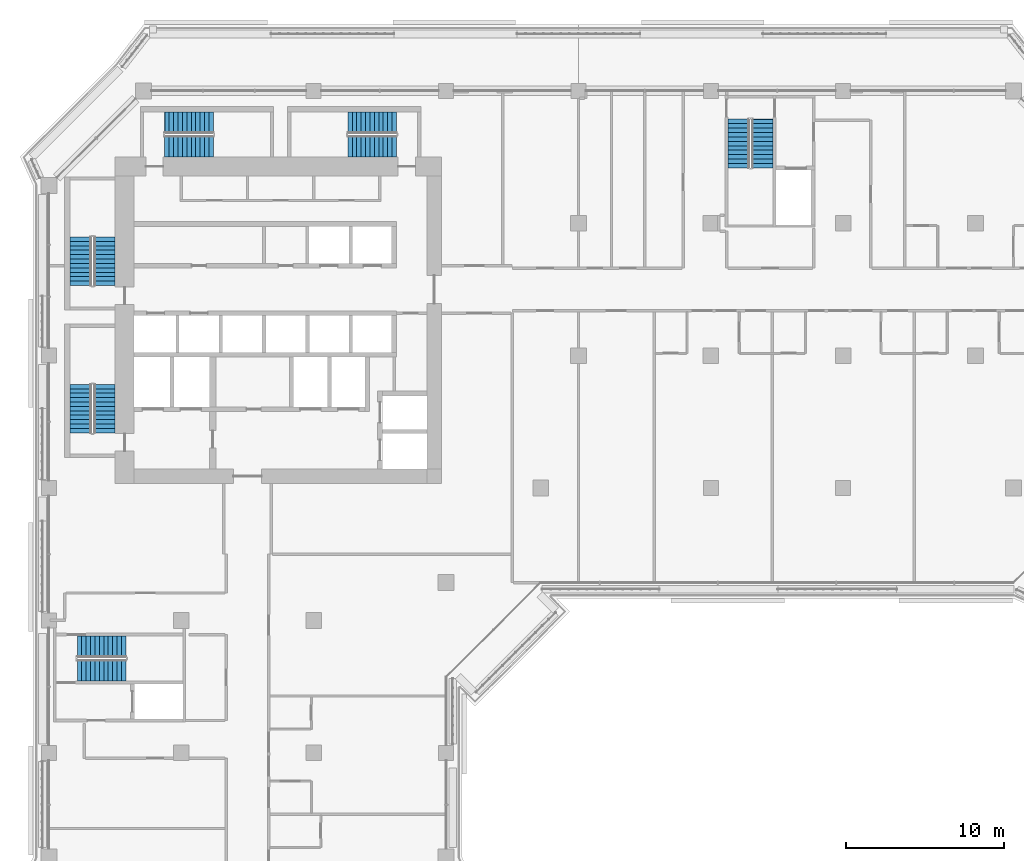
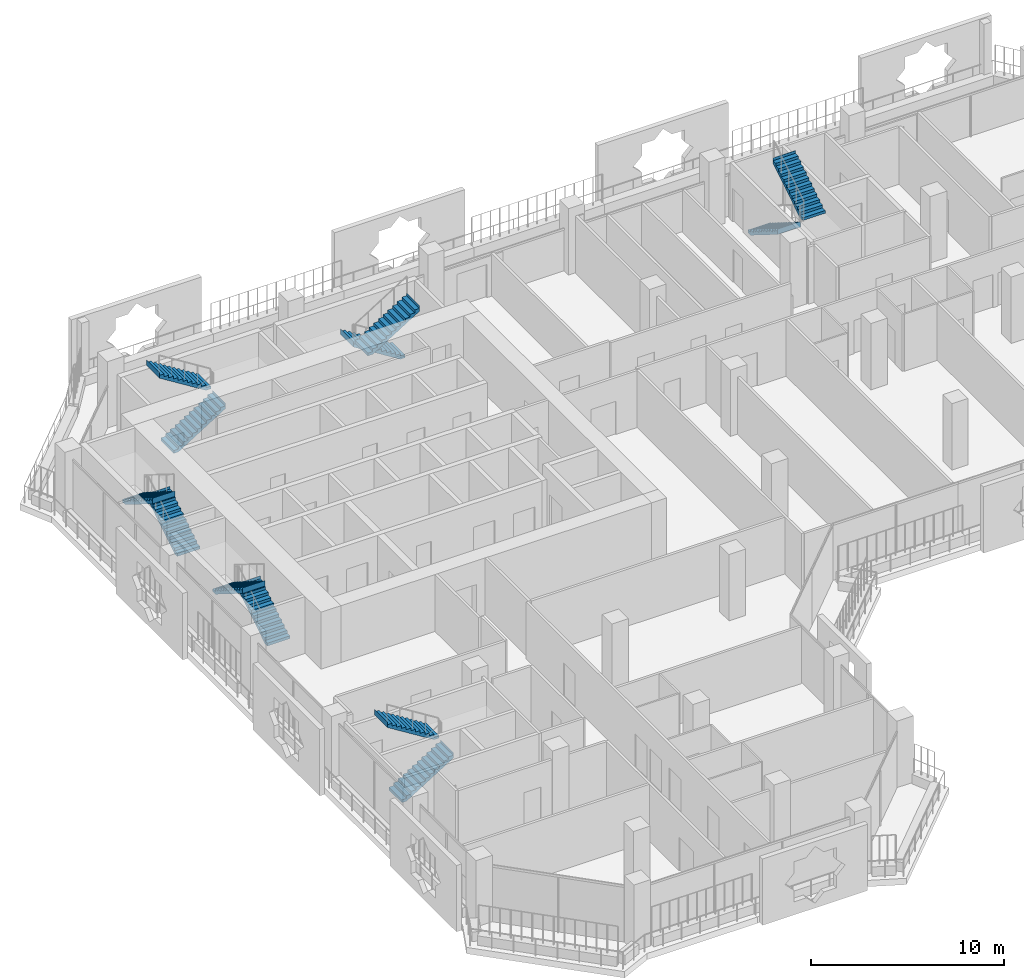
# One storey, part 15 of 22: 12 stair flights, 6 elements without a shape of their own.
"""IFC4 building model written with IfcOpenShell, lengths in metres."""

from ifc_helpers import new_model, si_unit, direction, frame, origin, place, context, subcontext, project, spatial, polyline, outline, extrude, material, type_object, element, aggregate, save


model = new_model("IFC4")

# Units and contexts
model_context = context("Model", 3, precision=1e-05, world=origin(), true_north=direction((0.0, 1.0)))
body_context = subcontext(model_context, "Body", "Model", "MODEL_VIEW")
ifc_project = project(units=[si_unit("LENGTHUNIT", "METRE"), si_unit("AREAUNIT", "SQUARE_METRE"), si_unit("VOLUMEUNIT", "CUBIC_METRE"), si_unit("PLANEANGLEUNIT", "RADIAN"), si_unit("MASSUNIT", "GRAM", prefix="KILO")], contexts=[model_context])

# Site, building, storey
site_placement = place(None, origin())
site = spatial("IfcSite", under=ifc_project, at=site_placement, CompositionType="ELEMENT")
building_placement = place(site_placement, origin())
building = spatial("IfcBuilding", under=site, at=building_placement, Name="Kawkab Arch Medical Tower", CompositionType="ELEMENT")
storey_placement = place(building_placement, frame((0.0, 0.0, 187.800048828125)))
storey = spatial("IfcBuildingStorey", under=building, at=storey_placement, Name="L43", CompositionType="ELEMENT", Elevation=187.800048828125)

# Stair, stair flights
ifc_material_1 = material(Name="Concrete C40/50", Category="concrete")
stair_type = type_object("IfcStairType", Name="Exit stair 1350", PredefinedType="HALF_TURN_STAIR", material=ifc_material_1)
placement = place(storey_placement, origin())
stair_1 = element("IfcStair", 1, at=placement, inside=storey, type_object=stair_type, Name="L43 Exit stair ST1", PredefinedType="HALF_TURN_STAIR")
ifc_material_2 = material(Name="Concrete C40/50", Category="concrete")
stair_flight_type = type_object("IfcStairFlightType", Name="Exit stair flight 1350", PredefinedType="STRAIGHT", material=ifc_material_2)
stair_flight_1_placement = place(storey_placement, frame((3.52490234375, -12.35009765625, 0.0), z_axis=(0.0, 0.0, 1.0), x_axis=(0.0, 1.0, 0.0)))
stair_flight_1 = element("IfcStairFlight", 2, at=stair_flight_1_placement, type_object=stair_flight_type, Name="ST1 flight 1", NumberOfRisers=12, NumberOfTreads=11, PredefinedType="STRAIGHT", RiserHeight=0.175, TreadLength=0.28, context=body_context, shape_type="SweptSolid", body=[
    extrude(outline(polyline([(-0.0029296875, 0.0), (-0.0029296875, 0.175048828125), (0.0, 0.175048828125), (0.280029296875, 0.175048828125), (0.280029296875, 0.35009765625), (0.56005859375, 0.35009765625), (0.56005859375, 0.52490234375), (0.840087890625, 0.52490234375), (0.840087890625, 0.699951171875), (1.1201171875, 0.699951171875), (1.1201171875, 0.875), (1.39990234375, 0.875), (1.39990234375, 1.050048828125), (1.679931640625, 1.050048828125), (1.679931640625, 1.22509765625), (1.9599609375, 1.22509765625), (1.9599609375, 1.39990234375), (2.239990234375, 1.39990234375), (2.239990234375, 1.574951171875), (2.52001953125, 1.574951171875), (2.52001953125, 1.75), (2.800048828125, 1.75), (2.800048828125, 1.925048828125), (3.080078125, 1.925048828125), (3.080078125, 2.10009765625), (3.0830078125, 2.10009765625), (3.0830078125, 1.748291015625), (3.080078125, 1.748291015625), (0.28271484375, 0.0), (-0.0029296875, 0.0)])), frame((0.0, 0.675048828125, 0.0), z_axis=(0.0, -1.0, 0.0), x_axis=(1.0, 0.0, 0.0)), (0.0, 0.0, 1.0), 1.35009765625),
])
stair_flight_2_placement = place(storey_placement, frame((2.02490234375, -9.27001953125, 2.099853515625), z_axis=(0.0, 0.0, 1.0), x_axis=(0.0, -1.0, 0.0)))
stair_flight_2 = element("IfcStairFlight", 3, at=stair_flight_2_placement, type_object=stair_flight_type, Name="ST1 flight 2", NumberOfRisers=12, NumberOfTreads=11, PredefinedType="STRAIGHT", RiserHeight=0.175, TreadLength=0.28, context=body_context, shape_type="SweptSolid", body=[
    extrude(outline(polyline([(-0.0029296875, 0.0), (-0.0029296875, 0.175048828125), (0.0, 0.175048828125), (0.280029296875, 0.175048828125), (0.280029296875, 0.35009765625), (0.56005859375, 0.35009765625), (0.56005859375, 0.52490234375), (0.840087890625, 0.52490234375), (0.840087890625, 0.699951171875), (1.1201171875, 0.699951171875), (1.1201171875, 0.875), (1.39990234375, 0.875), (1.39990234375, 1.050048828125), (1.679931640625, 1.050048828125), (1.679931640625, 1.22509765625), (1.9599609375, 1.22509765625), (1.9599609375, 1.39990234375), (2.239990234375, 1.39990234375), (2.239990234375, 1.574951171875), (2.52001953125, 1.574951171875), (2.52001953125, 1.75), (2.800048828125, 1.75), (2.800048828125, 1.925048828125), (3.080078125, 1.925048828125), (3.080078125, 2.10009765625), (3.0830078125, 2.10009765625), (3.0830078125, 1.748291015625), (3.080078125, 1.748291015625), (0.28271484375, 0.0), (-0.0029296875, 0.0)])), frame((0.0, 0.675048828125, 0.0), z_axis=(0.0, -1.0, 0.0), x_axis=(1.0, 0.0, 0.0)), (0.0, 0.0, 1.0), 1.35009765625),
])
aggregate(stair_1, [stair_flight_1, stair_flight_2])

stair_2 = element("IfcStair", 4, at=placement, inside=storey, type_object=stair_type, Name="L43 Exit stair ST2", PredefinedType="HALF_TURN_STAIR")
stair_flight_3_placement = place(storey_placement, frame((3.52490234375, -21.699951171875, 0.0), z_axis=(0.0, 0.0, 1.0), x_axis=(0.0, 1.0, 0.0)))
stair_flight_3 = element("IfcStairFlight", 5, at=stair_flight_3_placement, type_object=stair_flight_type, Name="ST2 flight 1", NumberOfRisers=12, NumberOfTreads=11, PredefinedType="STRAIGHT", RiserHeight=0.175, TreadLength=0.28, context=body_context, shape_type="SweptSolid", body=[
    extrude(outline(polyline([(-0.0029296875, 0.0), (-0.0029296875, 0.175048828125), (0.0, 0.175048828125), (0.280029296875, 0.175048828125), (0.280029296875, 0.35009765625), (0.56005859375, 0.35009765625), (0.56005859375, 0.52490234375), (0.840087890625, 0.52490234375), (0.840087890625, 0.699951171875), (1.1201171875, 0.699951171875), (1.1201171875, 0.875), (1.39990234375, 0.875), (1.39990234375, 1.050048828125), (1.679931640625, 1.050048828125), (1.679931640625, 1.22509765625), (1.9599609375, 1.22509765625), (1.9599609375, 1.39990234375), (2.239990234375, 1.39990234375), (2.239990234375, 1.574951171875), (2.52001953125, 1.574951171875), (2.52001953125, 1.75), (2.800048828125, 1.75), (2.800048828125, 1.925048828125), (3.080078125, 1.925048828125), (3.080078125, 2.10009765625), (3.0830078125, 2.10009765625), (3.0830078125, 1.748291015625), (3.080078125, 1.748291015625), (0.28271484375, 0.0), (-0.0029296875, 0.0)])), frame((0.0, 0.675048828125, 0.0), z_axis=(0.0, -1.0, 0.0), x_axis=(1.0, 0.0, 0.0)), (0.0, 0.0, 1.0), 1.35009765625),
])
stair_flight_4_placement = place(storey_placement, frame((2.02490234375, -18.6201171875, 2.099853515625), z_axis=(0.0, 0.0, 1.0), x_axis=(0.0, -1.0, 0.0)))
stair_flight_4 = element("IfcStairFlight", 6, at=stair_flight_4_placement, type_object=stair_flight_type, Name="ST2 flight 2", NumberOfRisers=12, NumberOfTreads=11, PredefinedType="STRAIGHT", RiserHeight=0.175, TreadLength=0.28, context=body_context, shape_type="SweptSolid", body=[
    extrude(outline(polyline([(-0.0029296875, 0.0), (-0.0029296875, 0.175048828125), (0.0, 0.175048828125), (0.280029296875, 0.175048828125), (0.280029296875, 0.35009765625), (0.56005859375, 0.35009765625), (0.56005859375, 0.52490234375), (0.840087890625, 0.52490234375), (0.840087890625, 0.699951171875), (1.1201171875, 0.699951171875), (1.1201171875, 0.875), (1.39990234375, 0.875), (1.39990234375, 1.050048828125), (1.679931640625, 1.050048828125), (1.679931640625, 1.22509765625), (1.9599609375, 1.22509765625), (1.9599609375, 1.39990234375), (2.239990234375, 1.39990234375), (2.239990234375, 1.574951171875), (2.52001953125, 1.574951171875), (2.52001953125, 1.75), (2.800048828125, 1.75), (2.800048828125, 1.925048828125), (3.080078125, 1.925048828125), (3.080078125, 2.10009765625), (3.0830078125, 2.10009765625), (3.0830078125, 1.748291015625), (3.080078125, 1.748291015625), (0.28271484375, 0.0), (-0.0029296875, 0.0)])), frame((0.0, 0.675048828125, 0.0), z_axis=(0.0, -1.0, 0.0), x_axis=(1.0, 0.0, 0.0)), (0.0, 0.0, 1.0), 1.35009765625),
])
aggregate(stair_2, [stair_flight_3, stair_flight_4])

stair_3 = element("IfcStair", 7, at=placement, inside=storey, type_object=stair_type, Name="L43 Exit stair ST3", PredefinedType="HALF_TURN_STAIR")
stair_flight_5_placement = place(storey_placement, frame((7.35009765625, -3.52490234375, 0.0), z_axis=(0.0, 0.0, 1.0), x_axis=(1.0, 0.0, 0.0)))
stair_flight_5 = element("IfcStairFlight", 8, at=stair_flight_5_placement, type_object=stair_flight_type, Name="ST3 flight 1", NumberOfRisers=12, NumberOfTreads=11, PredefinedType="STRAIGHT", RiserHeight=0.175, TreadLength=0.28, context=body_context, shape_type="SweptSolid", body=[
    extrude(outline(polyline([(-0.0029296875, 0.0), (-0.0029296875, 0.175048828125), (0.0, 0.175048828125), (0.280029296875, 0.175048828125), (0.280029296875, 0.35009765625), (0.56005859375, 0.35009765625), (0.56005859375, 0.52490234375), (0.840087890625, 0.52490234375), (0.840087890625, 0.699951171875), (1.1201171875, 0.699951171875), (1.1201171875, 0.875), (1.39990234375, 0.875), (1.39990234375, 1.050048828125), (1.679931640625, 1.050048828125), (1.679931640625, 1.22509765625), (1.9599609375, 1.22509765625), (1.9599609375, 1.39990234375), (2.239990234375, 1.39990234375), (2.239990234375, 1.574951171875), (2.52001953125, 1.574951171875), (2.52001953125, 1.75), (2.800048828125, 1.75), (2.800048828125, 1.925048828125), (3.080078125, 1.925048828125), (3.080078125, 2.10009765625), (3.0830078125, 2.10009765625), (3.0830078125, 1.748291015625), (3.080078125, 1.748291015625), (0.28271484375, 0.0), (-0.0029296875, 0.0)])), frame((0.0, 0.675048828125, 0.0), z_axis=(0.0, -1.0, 0.0), x_axis=(1.0, 0.0, 0.0)), (0.0, 0.0, 1.0), 1.35009765625),
])
stair_flight_6_placement = place(storey_placement, frame((10.429931640625, -2.02490234375, 2.099853515625), z_axis=(0.0, 0.0, 1.0), x_axis=(-1.0, 0.0, 0.0)))
stair_flight_6 = element("IfcStairFlight", 9, at=stair_flight_6_placement, type_object=stair_flight_type, Name="ST3 flight 2", NumberOfRisers=12, NumberOfTreads=11, PredefinedType="STRAIGHT", RiserHeight=0.175, TreadLength=0.28, context=body_context, shape_type="SweptSolid", body=[
    extrude(outline(polyline([(-0.0029296875, 0.0), (-0.0029296875, 0.175048828125), (0.0, 0.175048828125), (0.280029296875, 0.175048828125), (0.280029296875, 0.35009765625), (0.56005859375, 0.35009765625), (0.56005859375, 0.52490234375), (0.840087890625, 0.52490234375), (0.840087890625, 0.699951171875), (1.1201171875, 0.699951171875), (1.1201171875, 0.875), (1.39990234375, 0.875), (1.39990234375, 1.050048828125), (1.679931640625, 1.050048828125), (1.679931640625, 1.22509765625), (1.9599609375, 1.22509765625), (1.9599609375, 1.39990234375), (2.239990234375, 1.39990234375), (2.239990234375, 1.574951171875), (2.52001953125, 1.574951171875), (2.52001953125, 1.75), (2.800048828125, 1.75), (2.800048828125, 1.925048828125), (3.080078125, 1.925048828125), (3.080078125, 2.10009765625), (3.0830078125, 2.10009765625), (3.0830078125, 1.748291015625), (3.080078125, 1.748291015625), (0.28271484375, 0.0), (-0.0029296875, 0.0)])), frame((0.0, 0.675048828125, 0.0), z_axis=(0.0, -1.0, 0.0), x_axis=(1.0, 0.0, 0.0)), (0.0, 0.0, 1.0), 1.35009765625),
])
aggregate(stair_3, [stair_flight_5, stair_flight_6])

stair_4 = element("IfcStair", 10, at=placement, inside=storey, type_object=stair_type, Name="L43 Exit stair ST4", PredefinedType="HALF_TURN_STAIR")
stair_flight_7_placement = place(storey_placement, frame((22.050048828125, -2.02490234375, 0.0), z_axis=(0.0, 0.0, 1.0), x_axis=(-1.0, 0.0, 0.0)))
stair_flight_7 = element("IfcStairFlight", 11, at=stair_flight_7_placement, type_object=stair_flight_type, Name="ST4 flight 1", NumberOfRisers=12, NumberOfTreads=11, PredefinedType="STRAIGHT", RiserHeight=0.175, TreadLength=0.28, context=body_context, shape_type="SweptSolid", body=[
    extrude(outline(polyline([(-0.0029296875, 0.0), (-0.0029296875, 0.175048828125), (0.0, 0.175048828125), (0.280029296875, 0.175048828125), (0.280029296875, 0.35009765625), (0.56005859375, 0.35009765625), (0.56005859375, 0.52490234375), (0.840087890625, 0.52490234375), (0.840087890625, 0.699951171875), (1.1201171875, 0.699951171875), (1.1201171875, 0.875), (1.39990234375, 0.875), (1.39990234375, 1.050048828125), (1.679931640625, 1.050048828125), (1.679931640625, 1.22509765625), (1.9599609375, 1.22509765625), (1.9599609375, 1.39990234375), (2.239990234375, 1.39990234375), (2.239990234375, 1.574951171875), (2.52001953125, 1.574951171875), (2.52001953125, 1.75), (2.800048828125, 1.75), (2.800048828125, 1.925048828125), (3.080078125, 1.925048828125), (3.080078125, 2.10009765625), (3.0830078125, 2.10009765625), (3.0830078125, 1.748291015625), (3.080078125, 1.748291015625), (0.28271484375, 0.0), (-0.0029296875, 0.0)])), frame((0.0, 0.675048828125, 0.0), z_axis=(0.0, -1.0, 0.0), x_axis=(1.0, 0.0, 0.0)), (0.0, 0.0, 1.0), 1.35009765625),
])
stair_flight_8_placement = place(storey_placement, frame((18.969970703125, -3.52490234375, 2.099853515625), z_axis=(0.0, 0.0, 1.0), x_axis=(1.0, 0.0, 0.0)))
stair_flight_8 = element("IfcStairFlight", 12, at=stair_flight_8_placement, type_object=stair_flight_type, Name="ST4 flight 2", NumberOfRisers=12, NumberOfTreads=11, PredefinedType="STRAIGHT", RiserHeight=0.175, TreadLength=0.28, context=body_context, shape_type="SweptSolid", body=[
    extrude(outline(polyline([(-0.0029296875, 0.0), (-0.0029296875, 0.175048828125), (0.0, 0.175048828125), (0.280029296875, 0.175048828125), (0.280029296875, 0.35009765625), (0.56005859375, 0.35009765625), (0.56005859375, 0.52490234375), (0.840087890625, 0.52490234375), (0.840087890625, 0.699951171875), (1.1201171875, 0.699951171875), (1.1201171875, 0.875), (1.39990234375, 0.875), (1.39990234375, 1.050048828125), (1.679931640625, 1.050048828125), (1.679931640625, 1.22509765625), (1.9599609375, 1.22509765625), (1.9599609375, 1.39990234375), (2.239990234375, 1.39990234375), (2.239990234375, 1.574951171875), (2.52001953125, 1.574951171875), (2.52001953125, 1.75), (2.800048828125, 1.75), (2.800048828125, 1.925048828125), (3.080078125, 1.925048828125), (3.080078125, 2.10009765625), (3.0830078125, 2.10009765625), (3.0830078125, 1.748291015625), (3.080078125, 1.748291015625), (0.28271484375, 0.0), (-0.0029296875, 0.0)])), frame((0.0, 0.675048828125, 0.0), z_axis=(0.0, -1.0, 0.0), x_axis=(1.0, 0.0, 0.0)), (0.0, 0.0, 1.0), 1.35009765625),
])
aggregate(stair_4, [stair_flight_7, stair_flight_8])

stair_5 = element("IfcStair", 13, at=placement, inside=storey, type_object=stair_type, Name="L43 Exit stair ST5", PredefinedType="HALF_TURN_STAIR")
stair_flight_9_placement = place(storey_placement, frame((43.77490234375, -1.800048828125, 0.0), z_axis=(0.0, 0.0, 1.0), x_axis=(0.0, -1.0, 0.0)))
stair_flight_9 = element("IfcStairFlight", 14, at=stair_flight_9_placement, type_object=stair_flight_type, Name="ST5 flight 1", NumberOfRisers=12, NumberOfTreads=11, PredefinedType="STRAIGHT", RiserHeight=0.175, TreadLength=0.28, context=body_context, shape_type="SweptSolid", body=[
    extrude(outline(polyline([(-0.0029296875, 0.0), (-0.0029296875, 0.175048828125), (0.0, 0.175048828125), (0.280029296875, 0.175048828125), (0.280029296875, 0.35009765625), (0.56005859375, 0.35009765625), (0.56005859375, 0.52490234375), (0.840087890625, 0.52490234375), (0.840087890625, 0.699951171875), (1.1201171875, 0.699951171875), (1.1201171875, 0.875), (1.39990234375, 0.875), (1.39990234375, 1.050048828125), (1.679931640625, 1.050048828125), (1.679931640625, 1.22509765625), (1.9599609375, 1.22509765625), (1.9599609375, 1.39990234375), (2.239990234375, 1.39990234375), (2.239990234375, 1.574951171875), (2.52001953125, 1.574951171875), (2.52001953125, 1.75), (2.800048828125, 1.75), (2.800048828125, 1.925048828125), (3.080078125, 1.925048828125), (3.080078125, 2.10009765625), (3.0830078125, 2.10009765625), (3.0830078125, 1.748291015625), (3.080078125, 1.748291015625), (0.28271484375, 0.0), (-0.0029296875, 0.0)])), frame((0.0, 0.675048828125, 0.0), z_axis=(0.0, -1.0, 0.0), x_axis=(1.0, 0.0, 0.0)), (0.0, 0.0, 1.0), 1.35009765625),
])
stair_flight_10_placement = place(storey_placement, frame((45.27490234375, -4.8798828125, 2.099853515625), z_axis=(0.0, 0.0, 1.0), x_axis=(0.0, 1.0, 0.0)))
stair_flight_10 = element("IfcStairFlight", 15, at=stair_flight_10_placement, type_object=stair_flight_type, Name="ST5 flight 2", NumberOfRisers=12, NumberOfTreads=11, PredefinedType="STRAIGHT", RiserHeight=0.175, TreadLength=0.28, context=body_context, shape_type="SweptSolid", body=[
    extrude(outline(polyline([(-0.0029296875, 0.0), (-0.0029296875, 0.175048828125), (0.0, 0.175048828125), (0.280029296875, 0.175048828125), (0.280029296875, 0.35009765625), (0.56005859375, 0.35009765625), (0.56005859375, 0.52490234375), (0.840087890625, 0.52490234375), (0.840087890625, 0.699951171875), (1.1201171875, 0.699951171875), (1.1201171875, 0.875), (1.39990234375, 0.875), (1.39990234375, 1.050048828125), (1.679931640625, 1.050048828125), (1.679931640625, 1.22509765625), (1.9599609375, 1.22509765625), (1.9599609375, 1.39990234375), (2.239990234375, 1.39990234375), (2.239990234375, 1.574951171875), (2.52001953125, 1.574951171875), (2.52001953125, 1.75), (2.800048828125, 1.75), (2.800048828125, 1.925048828125), (3.080078125, 1.925048828125), (3.080078125, 2.10009765625), (3.0830078125, 2.10009765625), (3.0830078125, 1.748291015625), (3.080078125, 1.748291015625), (0.28271484375, 0.0), (-0.0029296875, 0.0)])), frame((0.0, 0.675048828125, 0.0), z_axis=(0.0, -1.0, 0.0), x_axis=(1.0, 0.0, 0.0)), (0.0, 0.0, 1.0), 1.35009765625),
])
aggregate(stair_5, [stair_flight_9, stair_flight_10])

stair_6 = element("IfcStair", 16, at=placement, inside=storey, type_object=stair_type, Name="L43 Exit stair ST6", PredefinedType="HALF_TURN_STAIR")
stair_flight_11_placement = place(storey_placement, frame((1.800048828125, -36.77490234375, 0.0), z_axis=(0.0, 0.0, 1.0), x_axis=(1.0, 0.0, 0.0)))
stair_flight_11 = element("IfcStairFlight", 17, at=stair_flight_11_placement, type_object=stair_flight_type, Name="ST6 flight 1", NumberOfRisers=12, NumberOfTreads=11, PredefinedType="STRAIGHT", RiserHeight=0.175, TreadLength=0.28, context=body_context, shape_type="SweptSolid", body=[
    extrude(outline(polyline([(-0.0029296875, 0.0), (-0.0029296875, 0.175048828125), (0.0, 0.175048828125), (0.280029296875, 0.175048828125), (0.280029296875, 0.35009765625), (0.56005859375, 0.35009765625), (0.56005859375, 0.52490234375), (0.840087890625, 0.52490234375), (0.840087890625, 0.699951171875), (1.1201171875, 0.699951171875), (1.1201171875, 0.875), (1.39990234375, 0.875), (1.39990234375, 1.050048828125), (1.679931640625, 1.050048828125), (1.679931640625, 1.22509765625), (1.9599609375, 1.22509765625), (1.9599609375, 1.39990234375), (2.239990234375, 1.39990234375), (2.239990234375, 1.574951171875), (2.52001953125, 1.574951171875), (2.52001953125, 1.75), (2.800048828125, 1.75), (2.800048828125, 1.925048828125), (3.080078125, 1.925048828125), (3.080078125, 2.10009765625), (3.0830078125, 2.10009765625), (3.0830078125, 1.748291015625), (3.080078125, 1.748291015625), (0.28271484375, 0.0), (-0.0029296875, 0.0)])), frame((0.0, 0.675048828125, 0.0), z_axis=(0.0, -1.0, 0.0), x_axis=(1.0, 0.0, 0.0)), (0.0, 0.0, 1.0), 1.35009765625),
])
stair_flight_12_placement = place(storey_placement, frame((4.8798828125, -35.27490234375, 2.099853515625), z_axis=(0.0, 0.0, 1.0), x_axis=(-1.0, 0.0, 0.0)))
stair_flight_12 = element("IfcStairFlight", 18, at=stair_flight_12_placement, type_object=stair_flight_type, Name="ST6 flight 2", NumberOfRisers=12, NumberOfTreads=11, PredefinedType="STRAIGHT", RiserHeight=0.175, TreadLength=0.28, context=body_context, shape_type="SweptSolid", body=[
    extrude(outline(polyline([(-0.0029296875, 0.0), (-0.0029296875, 0.175048828125), (0.0, 0.175048828125), (0.280029296875, 0.175048828125), (0.280029296875, 0.35009765625), (0.56005859375, 0.35009765625), (0.56005859375, 0.52490234375), (0.840087890625, 0.52490234375), (0.840087890625, 0.699951171875), (1.1201171875, 0.699951171875), (1.1201171875, 0.875), (1.39990234375, 0.875), (1.39990234375, 1.050048828125), (1.679931640625, 1.050048828125), (1.679931640625, 1.22509765625), (1.9599609375, 1.22509765625), (1.9599609375, 1.39990234375), (2.239990234375, 1.39990234375), (2.239990234375, 1.574951171875), (2.52001953125, 1.574951171875), (2.52001953125, 1.75), (2.800048828125, 1.75), (2.800048828125, 1.925048828125), (3.080078125, 1.925048828125), (3.080078125, 2.10009765625), (3.0830078125, 2.10009765625), (3.0830078125, 1.748291015625), (3.080078125, 1.748291015625), (0.28271484375, 0.0), (-0.0029296875, 0.0)])), frame((0.0, 0.675048828125, 0.0), z_axis=(0.0, -1.0, 0.0), x_axis=(1.0, 0.0, 0.0)), (0.0, 0.0, 1.0), 1.35009765625),
])
aggregate(stair_6, [stair_flight_11, stair_flight_12])

save(model, "model.ifc")
